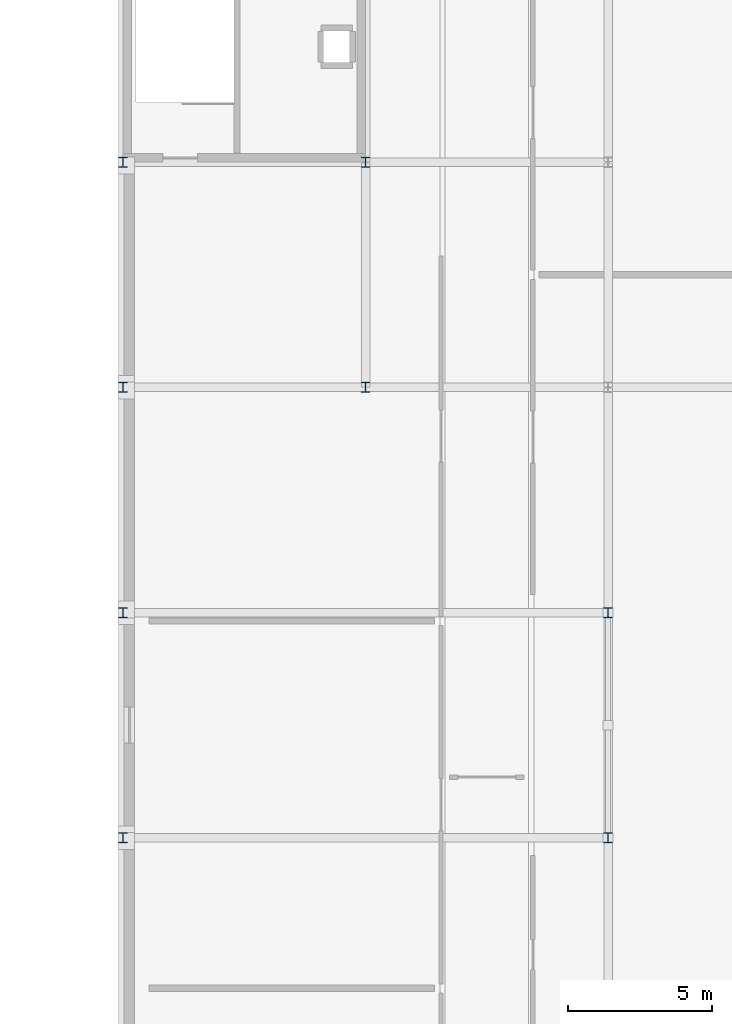
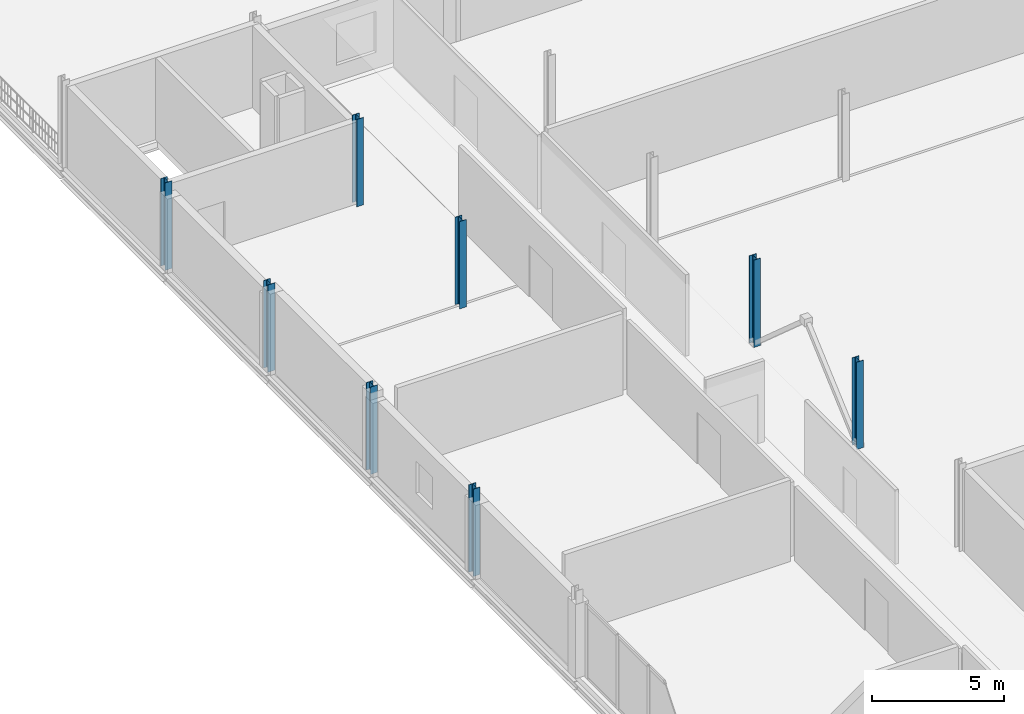
# One storey, part 4 of 77: 8 columns.
"""IFC4 building model written with IfcOpenShell, lengths in metres."""

import ifcopenshell
import ifcopenshell.guid

model = None  # the IFC model being written
_history = None  # IfcOwnerHistory: only IFC2X3 demands one
_inside = {}  # id of a spatial element -> (the spatial element, [elements in it])
_under = {}  # id of a project, library or spatial element -> (it, [spatial elements below it])
_declared = {}  # id of a project -> (the project, [libraries it declares])
_typed = {}  # id of a type object -> (the type object, [elements of that type])
_made_of = {}  # id of a material, layer set ... -> (it, [elements and type objects made of it])


def new_model(schema):
    """Start an empty IFC model of exactly this schema.

    Asked for "IFC4X3", IfcOpenShell would pick the latest addendum, in which some entities
    have other attributes; the version numbers below select the first issue.
    IFC2X3 requires an IfcOwnerHistory on every rooted entity: one is made here for all.
    """
    global model, _history
    if schema == "IFC4X3":
        model = ifcopenshell.file(schema_version=(4, 3, 0, 0))
    else:
        model = ifcopenshell.file(schema=schema)
    _inside.clear()
    _under.clear()
    _declared.clear()
    _typed.clear()
    _made_of.clear()
    _history = None
    if model.schema == "IFC2X3":
        org = make("IfcOrganization", Name="unknown")
        user = make(
            "IfcPersonAndOrganization",
            ThePerson=make("IfcPerson", FamilyName="unknown"),
            TheOrganization=org,
        )
        app = make(
            "IfcApplication",
            ApplicationDeveloper=org,
            Version="unknown",
            ApplicationFullName="unknown",
            ApplicationIdentifier="unknown",
        )
        _history = make(
            "IfcOwnerHistory",
            OwningUser=user,
            OwningApplication=app,
            ChangeAction="ADDED",
            CreationDate=0,
        )
    return model


def make(cls, **values):
    """One entity of the class cls with the attributes given. An attribute that is None is left unset."""
    return model.create_entity(
        cls, **{name: value for name, value in values.items() if value is not None}
    )


def rooted(cls, **values):
    """An entity with a GlobalId (a new one), such as an element, a storey or a relation."""
    return make(cls, GlobalId=ifcopenshell.guid.new(), OwnerHistory=_history, **values)


def si_unit(unit_type, name, prefix=None):
    """IfcSIUnit, for example si_unit("LENGTHUNIT", "METRE", prefix="MILLI")."""
    return make("IfcSIUnit", UnitType=unit_type, Prefix=prefix, Name=name)


def assignment(units):
    """IfcUnitAssignment: the units of a project."""
    return None if units is None else make("IfcUnitAssignment", Units=units)


def point(xyz):
    """IfcCartesianPoint."""
    return None if xyz is None else make("IfcCartesianPoint", Coordinates=xyz)


def direction(xyz):
    """IfcDirection."""
    return None if xyz is None else make("IfcDirection", DirectionRatios=xyz)


def frame(location, z_axis=None, x_axis=None):
    """IfcAxis2Placement3D, a coordinate frame: its origin and axes. An axis left out is left unset."""
    return make(
        "IfcAxis2Placement3D",
        Location=point(location),
        Axis=direction(z_axis),
        RefDirection=direction(x_axis),
    )


def frame_2d(location, x_axis=None):
    """IfcAxis2Placement2D, a coordinate frame in the plane: its origin and x axis."""
    return make(
        "IfcAxis2Placement2D", Location=point(location), RefDirection=direction(x_axis)
    )


def origin():
    """The frame at (0, 0, 0) with its axes left unset."""
    return frame((0.0, 0.0, 0.0))


def origin_2d():
    """The frame at (0, 0) in the plane with its x axis left unset."""
    return frame_2d((0.0, 0.0))


def place(relative_to, where):
    """IfcLocalPlacement: puts the frame where relative to a parent placement (None: the world)."""
    return make(
        "IfcLocalPlacement", PlacementRelTo=relative_to, RelativePlacement=where
    )


def context(
    kind, dimensions, precision=None, world=None, true_north=None, identifier=None
):
    """IfcGeometricRepresentationContext, for example the 3D "Model" context."""
    return make(
        "IfcGeometricRepresentationContext",
        ContextIdentifier=identifier,
        ContextType=kind,
        CoordinateSpaceDimension=dimensions,
        Precision=precision,
        WorldCoordinateSystem=world,
        TrueNorth=true_north,
    )


def subcontext(parent, identifier, kind, view, scale=None):
    """IfcGeometricRepresentationSubContext, for example "Body" below "Model"."""
    return make(
        "IfcGeometricRepresentationSubContext",
        ContextIdentifier=identifier,
        ContextType=kind,
        ParentContext=parent,
        TargetScale=scale,
        TargetView=view,
    )


def project(units=None, contexts=None):
    """IfcProject with its units and contexts."""
    return rooted(
        "IfcProject",
        Name="project",
        RepresentationContexts=contexts,
        UnitsInContext=assignment(units),
    )


def spatial(cls, under=None, at=None, **own):
    """A site, building, storey or space (cls), placed at a placement, below another one or the project."""
    s = rooted(cls, ObjectPlacement=at, **own)
    if under is not None:
        _under.setdefault(under.id(), (under, []))[1].append(s)
    return s


def profile(cls, at=None, kind="AREA", **sizes):
    """A parametric profile (cls). Its sizes go by their IFC names, for example OverallWidth=200.0."""
    return make(cls, ProfileType=kind, Position=at, **sizes)


def i_section(**sizes):
    """IfcIShapeProfileDef."""
    return profile("IfcIShapeProfileDef", **sizes)


def extrude(swept, where, along, depth):
    """IfcExtrudedAreaSolid: the profile swept, set in the frame where, extruded along a direction by depth."""
    return make(
        "IfcExtrudedAreaSolid",
        SweptArea=swept,
        Position=where,
        ExtrudedDirection=direction(along),
        Depth=depth,
    )


def shape(context_of_items, identifier, shape_type, items):
    """IfcShapeRepresentation: the items that make up one representation, for example the "Body"."""
    return make(
        "IfcShapeRepresentation",
        ContextOfItems=context_of_items,
        RepresentationIdentifier=identifier,
        RepresentationType=shape_type,
        Items=items,
    )


def material(Name=None, Category=None):
    """IfcMaterial."""
    return make("IfcMaterial", Name=Name, Category=Category)


def material_profile(
    of_material, cross_section, Name=None, Category=None, Priority=None
):
    """IfcMaterialProfile: a cross section and its material."""
    return make(
        "IfcMaterialProfile",
        Name=Name,
        Material=of_material,
        Profile=cross_section,
        Priority=Priority,
        Category=Category,
    )


def profile_set(profiles, Name=None, composite=None):
    """IfcMaterialProfileSet."""
    return make(
        "IfcMaterialProfileSet",
        Name=Name,
        MaterialProfiles=profiles,
        CompositeProfile=composite,
    )


def made_of(thing, what):
    """Note that an element or type object is made of a material, layer set ...; save() writes the relation."""
    if what is not None:
        _made_of.setdefault(what.id(), (what, []))[1].append(thing)
    return thing


def type_object(cls, material=None, **own):
    """A type object (cls), such as IfcWallType, which elements share."""
    return made_of(rooted(cls, **own), material)


def element(
    cls,
    number,
    at=None,
    inside=None,
    cuts=None,
    type_object=None,
    material=None,
    context=None,
    identifier="Body",
    shape_type=None,
    held_by="IfcProductDefinitionShape",
    body=None,
    shapes=None,
    **own,
):
    """One element of the class cls, such as IfcWall. Its Tag is "e" and its number.

    at: its placement. inside: the storey or other place that contains it. cuts: it is an
    opening in that element (IfcRelVoidsElement). A single representation is given by context,
    identifier, shape_type and body (its items); several are given by shapes. held_by: the class
    of the entity that holds the representations. save() writes the other relations.
    """
    e = rooted(cls, Tag="e%d" % number, ObjectPlacement=at, **own)
    if body is not None:
        shapes = [shape(context, identifier, shape_type, body)]
    if shapes is not None:
        e.Representation = make(held_by, Representations=shapes)
    if inside is not None:
        _inside.setdefault(inside.id(), (inside, []))[1].append(e)
    if cuts is not None:
        rooted(
            "IfcRelVoidsElement", RelatingBuildingElement=cuts, RelatedOpeningElement=e
        )
    if type_object is not None:
        _typed.setdefault(type_object.id(), (type_object, []))[1].append(e)
    return made_of(e, material)


def aggregate(whole, parts):
    """IfcRelAggregates: a whole, such as a stair, and the parts it consists of."""
    return rooted("IfcRelAggregates", RelatingObject=whole, RelatedObjects=parts)


def save(model, path):
    """Write the relations noted so far, then the file.

    IfcRelAggregates (storeys below a building ...), IfcRelContainedInSpatialStructure (elements
    in a storey), IfcRelDefinesByType, IfcRelAssociatesMaterial and IfcRelDeclares: one each for
    every whole, place, type object, material and project.
    """
    for whole, parts in _under.values():
        aggregate(whole, parts)
    for where, things in _inside.values():
        rooted(
            "IfcRelContainedInSpatialStructure",
            RelatedElements=things,
            RelatingStructure=where,
        )
    for kind, things in _typed.values():
        rooted("IfcRelDefinesByType", RelatedObjects=things, RelatingType=kind)
    for what, things in _made_of.values():
        rooted("IfcRelAssociatesMaterial", RelatedObjects=things, RelatingMaterial=what)
    for by, libraries in _declared.values():
        rooted("IfcRelDeclares", RelatingContext=by, RelatedDefinitions=libraries)
    model.write(path)


model = new_model("IFC4")

# Units and contexts
model_context = context("Model", 3, precision=1e-05, world=origin(), true_north=direction((0.0, 1.0)))
body_context = subcontext(model_context, "Body", "Model", "MODEL_VIEW")
ifc_project = project(units=[si_unit("LENGTHUNIT", "METRE"), si_unit("AREAUNIT", "SQUARE_METRE"), si_unit("VOLUMEUNIT", "CUBIC_METRE"), si_unit("PLANEANGLEUNIT", "RADIAN"), si_unit("MASSUNIT", "GRAM", prefix="KILO")], contexts=[model_context])

# Site, building, storey
site_placement = place(None, origin())
site = spatial("IfcSite", under=ifc_project, at=site_placement, CompositionType="ELEMENT")
building_placement = place(site_placement, origin())
building = spatial("IfcBuilding", under=site, at=building_placement, Name="Nabrawat Pavilion Hospital", CompositionType="ELEMENT")
storey_placement = place(building_placement, frame((0.0, 0.0, 14.85009765625)))
storey = spatial("IfcBuildingStorey", under=building, at=storey_placement, Name="L03", CompositionType="ELEMENT", Elevation=14.85009765625)

# Columns
ifc_material = material(Name="Steel S355", Category="steel")
ifc_material_profile = material_profile(ifc_material, i_section(OverallWidth=0.300048828125, OverallDepth=0.35009765625, WebThickness=0.009521484375, FlangeThickness=0.017578125, FilletRadius=0.027099609375, at=origin_2d()), Name="HEA 360")
ifc_profile_set = profile_set([ifc_material_profile], Name="Steel S355")
column_type = type_object("IfcColumnType", Name="Pavilion Top Steel Column HEA 360", PredefinedType="COLUMN", material=ifc_profile_set)
for number, where, z_axis, x_axis, name in (
    (1, (16.800048828125, 70.199951171875, 0.0), (0.0, 0.0, 1.0), (1.0, 0.0, 0.0), "L03 Structural Column G-3-K"),
    (2, (16.800048828125, 78.0, 0.0), (0.0, 0.0, 1.0), (1.0, 0.0, 0.0), "L03 Structural Column G-3-L"),
    (3, (16.800048828125, 85.800048828125, 0.0), (0.0, 0.0, 1.0), (1.0, 0.0, 0.0), "L03 Structural Column G-3-M1"),
    (4, (16.800048828125, 93.60009765625, 0.0), (0.0, 0.0, 1.0), (1.0, 0.0, 0.0), "L03 Structural Column G-3-N"),
    (5, (25.199951171875, 85.800048828125, 0.0), (0.0, 0.0, 1.0), (1.0, 0.0, 0.0), "L03 Structural Column G-4-M1"),
    (6, (25.199951171875, 93.60009765625, 0.0), (0.0, 0.0, 1.0), (1.0, 0.0, 0.0), "L03 Structural Column G-4-N"),
    (7, (33.60009765625, 70.199951171875, 0.0), (0.0, 0.0, 1.0), (1.0, 0.0, 0.0), "L03 Structural Column G-5-K"),
    (8, (33.60009765625, 78.0, 0.0), (0.0, 0.0, 1.0), (1.0, 0.0, 0.0), "L03 Structural Column G-5-L"),
):
    element("IfcColumn", number, at=place(storey_placement, frame(where, z_axis=z_axis, x_axis=x_axis)), inside=storey, type_object=column_type, Name=name, PredefinedType="COLUMN", context=body_context, shape_type="SweptSolid", body=[
        extrude(i_section(OverallWidth=0.300048828125, OverallDepth=0.35009765625, WebThickness=0.009521484375, FlangeThickness=0.017578125, FilletRadius=0.027099609375, at=origin_2d()), origin(), (0.0, 0.0, 1.0), 4.0498046875),
    ])

save(model, "model.ifc")
